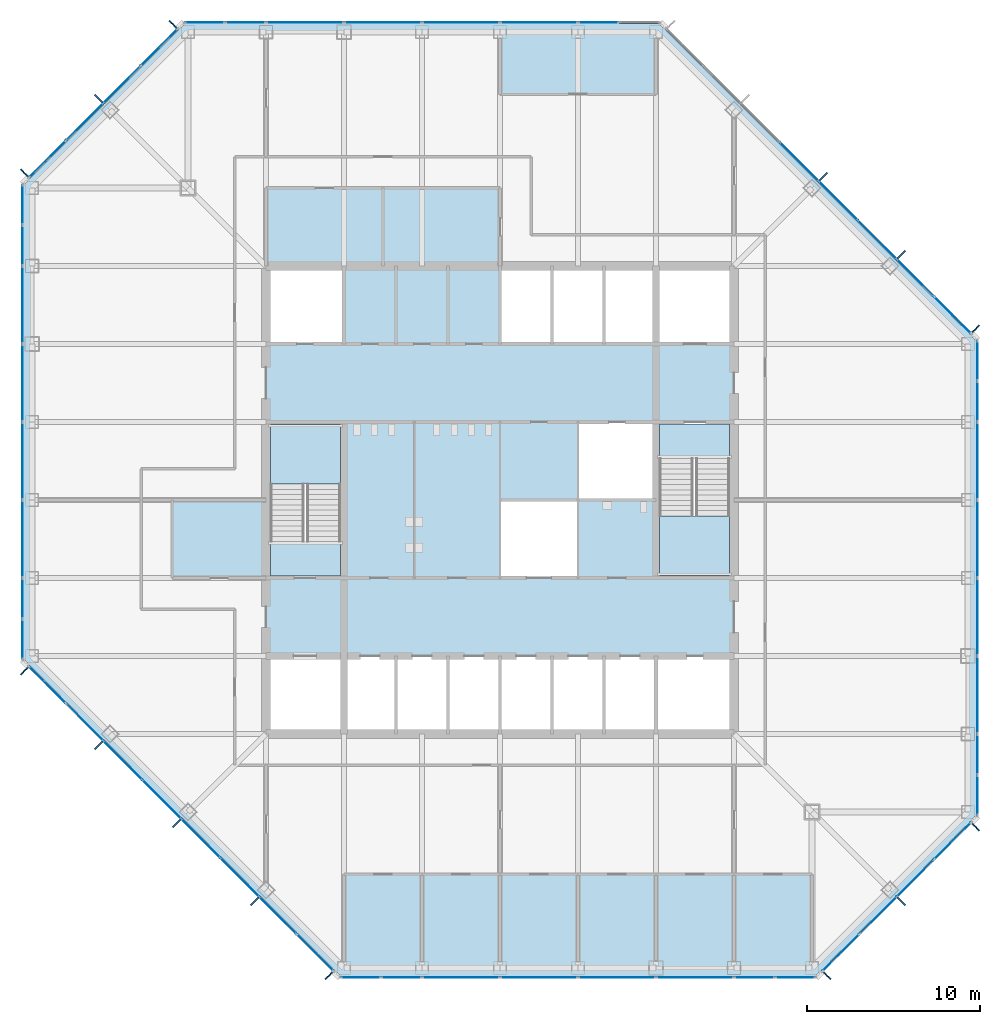
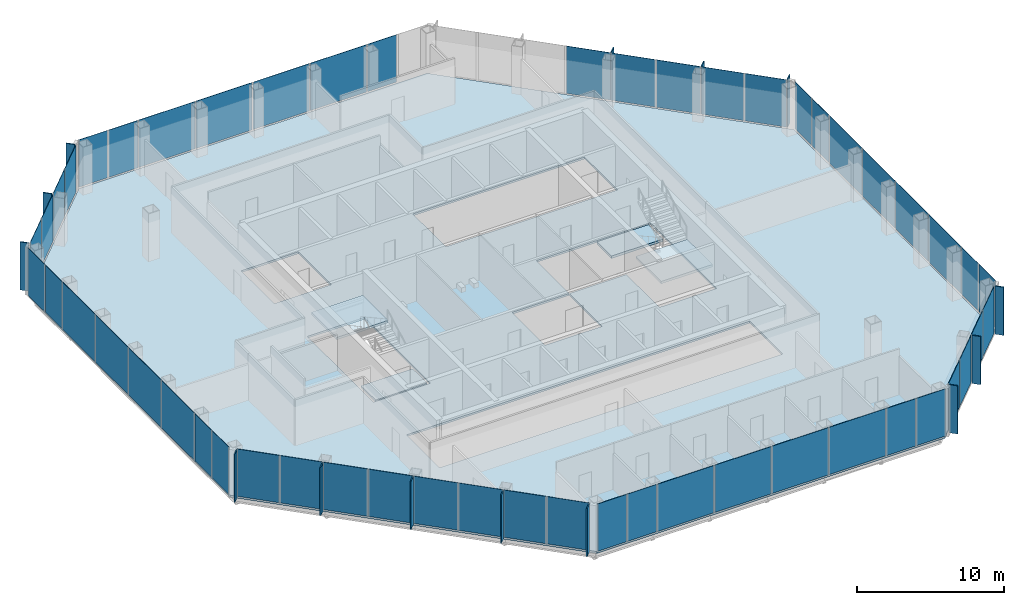
# One storey, part 7 of 12: 66 plates, 5 slabs, 10 elements without a shape of their own.
"""IFC4 building model written with IfcOpenShell, lengths in metres."""

from ifc_helpers import new_model, si_unit, direction, frame, origin, origin_2d, place, context, subcontext, project, spatial, polyline, rectangle, outline, extrude, material, layer, layer_set, type_object, element, aggregate, save


model = new_model("IFC4")

# Units and contexts
model_context = context("Model", 3, precision=1e-05, world=origin(), true_north=direction((0.0, 1.0)))
body_context = subcontext(model_context, "Body", "Model", "MODEL_VIEW")
ifc_project = project(units=[si_unit("LENGTHUNIT", "METRE"), si_unit("AREAUNIT", "SQUARE_METRE"), si_unit("VOLUMEUNIT", "CUBIC_METRE"), si_unit("PLANEANGLEUNIT", "RADIAN"), si_unit("MASSUNIT", "GRAM", prefix="KILO")], contexts=[model_context])

# Site, building, storey
site_placement = place(None, origin())
site = spatial("IfcSite", under=ifc_project, at=site_placement, CompositionType="ELEMENT")
building_placement = place(site_placement, origin())
building = spatial("IfcBuilding", under=site, at=building_placement, Name="Corais Broadcast Tower", CompositionType="ELEMENT")
storey_placement = place(building_placement, frame((0.0, 0.0, 143.60009765625)))
storey = spatial("IfcBuildingStorey", under=building, at=storey_placement, Name="L32", CompositionType="ELEMENT", Elevation=143.60009765625)

# Slab
ifc_material_1 = material(Name="Concrete C30/37", Category="concrete")
ifc_layer_1 = layer(ifc_material_1, 0.159912109375)
ifc_layer_set_1 = layer_set([ifc_layer_1], Name="Concrete C30/37")
slab_type_1 = type_object("IfcSlabType", Name="Composite floor slab 160", PredefinedType="FLOOR", material=ifc_layer_set_1)
slab_1_placement = place(storey_placement, frame((0.0, 0.0, -0.16015625)))
element("IfcSlab", 1, at=slab_1_placement, inside=storey, type_object=slab_type_1, Name="S160 floor slab L32", PredefinedType="FLOOR", context=body_context, shape_type="SweptSolid", body=[
    extrude(outline(polyline([(17.80126953125, -0.47998046875), (-0.47998046875, 17.80126953125), (-0.47998046875, 45.19873046875), (8.80126953125, 54.47998046875), (36.19873046875, 54.47998046875), (54.47998046875, 36.19873046875), (54.47998046875, 8.80126953125), (45.19873046875, -0.47998046875), (17.80126953125, -0.47998046875)]), holes=[polyline([(13.5, 18.0), (40.5, 18.0), (40.5, 13.5), (13.5, 13.5), (13.5, 18.0)]), polyline([(18.0, 22.5), (13.5, 22.5), (13.5, 31.5), (18.0, 31.5), (18.0, 22.5)]), polyline([(18.0, 36.0), (13.5, 36.0), (13.5, 40.5), (18.0, 40.5), (18.0, 36.0)]), polyline([(31.5, 22.5), (27.0, 22.5), (27.0, 27.0), (31.4951171875, 27.0), (31.4951171875, 27.0048828125), (31.5, 27.0048828125), (31.5, 31.5), (40.5, 31.5), (40.5, 22.5), (36.0, 22.5), (36.0, 27.0), (31.5048828125, 27.0), (31.5048828125, 26.9951171875), (31.5, 26.9951171875), (31.5, 22.5)]), polyline([(27.0, 40.5), (40.5, 40.5), (40.5, 36.0), (27.0, 36.0), (27.0, 40.5)])]), origin(), (0.0, 0.0, 1.0), 0.16015625),
])

# Curtain wall, plates
ifc_material_2 = material(Name="Aluminium and glass", Category="aluminium")
curtain_wall_type = type_object("IfcCurtainWallType", Name="Unitised fritted curtain wall CW2", PredefinedType="NOTDEFINED", material=ifc_material_2)
curtain_wall_1_placement = place(storey_placement, origin())
curtain_wall_1 = element("IfcCurtainWall", 2, at=curtain_wall_1_placement, inside=storey, type_object=curtain_wall_type, Name="CW2 curtain wall L32 1", PredefinedType="NOTDEFINED")
ifc_material_3 = material(Name="Ceramic-fritted laminated glass", Category="glass")
ifc_layer_2 = layer(ifc_material_3, 0.028076171875)
ifc_layer_set_2 = layer_set([ifc_layer_2], Name="Ceramic-fritted laminated glass")
plate_type_1 = type_object("IfcPlateType", Name="Fritted glass panel CW2", PredefinedType="CURTAIN_PANEL", material=ifc_layer_set_2)
plate_1_placement = place(storey_placement, frame((16.330322265625, 0.891845703125, 0.06494140625), z_axis=(0.0, 0.0, 1.0), x_axis=(-0.707106781187, 0.707106781187, 0.0)))
plate_1 = element("IfcPlate", 3, at=plate_1_placement, type_object=plate_type_1, Name="CW2 panel 1", PredefinedType="CURTAIN_PANEL", context=body_context, shape_type="SweptSolid", body=[
    extrude(rectangle(XDim=2.9482421875, YDim=0.028076171875, at=origin_2d()), origin(), (0.0, 0.0, 1.0), 3.93505859375),
])
plate_2_placement = place(storey_placement, frame((11.986083984375, 5.236083984375, 0.06494140625), z_axis=(0.0, 0.0, 1.0), x_axis=(-0.707106781187, 0.707106781187, 0.0)))
plate_2 = element("IfcPlate", 4, at=plate_2_placement, type_object=plate_type_1, Name="CW2 panel 3", PredefinedType="CURTAIN_PANEL", context=body_context, shape_type="SweptSolid", body=[
    extrude(rectangle(XDim=3.116943359375, YDim=0.028076171875, at=origin_2d()), origin(), (0.0, 0.0, 1.0), 3.93505859375),
])
plate_3_placement = place(storey_placement, frame((7.486083984375, 9.736083984375, 0.06494140625), z_axis=(0.0, 0.0, 1.0), x_axis=(-0.707106781187, 0.707106781187, 0.0)))
plate_3 = element("IfcPlate", 5, at=plate_3_placement, type_object=plate_type_1, Name="CW2 panel 5", PredefinedType="CURTAIN_PANEL", context=body_context, shape_type="SweptSolid", body=[
    extrude(rectangle(XDim=3.116943359375, YDim=0.028076171875, at=origin_2d()), origin(), (0.0, 0.0, 1.0), 3.93505859375),
])
plate_4_placement = place(storey_placement, frame((3.0341796875, 14.18798828125, 0.06494140625), z_axis=(0.0, 0.0, 1.0), x_axis=(-0.707106781187, 0.707106781187, 0.0)))
plate_4 = element("IfcPlate", 6, at=plate_4_placement, type_object=plate_type_1, Name="CW2 panel 7", PredefinedType="CURTAIN_PANEL", context=body_context, shape_type="SweptSolid", body=[
    extrude(rectangle(XDim=2.98095703125, YDim=0.028076171875, at=origin_2d()), origin(), (0.0, 0.0, 1.0), 3.93505859375),
])

curtain_wall_2_placement = place(storey_placement, origin())
curtain_wall_2 = element("IfcCurtainWall", 7, at=curtain_wall_2_placement, inside=storey, type_object=curtain_wall_type, Name="CW2 curtain wall L32 2", PredefinedType="NOTDEFINED")
plate_5_placement = place(storey_placement, frame((-0.550048828125, 18.970458984375, 0.06494140625), z_axis=(0.0, 0.0, 1.0), x_axis=(0.0, 1.0, 0.0)))
plate_5 = element("IfcPlate", 8, at=plate_5_placement, type_object=plate_type_1, Name="CW2 panel 1", PredefinedType="CURTAIN_PANEL", context=body_context, shape_type="SweptSolid", body=[
    extrude(rectangle(XDim=2.266357421875, YDim=0.028076171875, at=origin_2d()), origin(), (0.0, 0.0, 1.0), 3.93505859375),
])
plate_6_placement = place(storey_placement, frame((-0.550048828125, 24.75, 0.06494140625), z_axis=(0.0, 0.0, 1.0), x_axis=(0.0, 1.0, 0.0)))
plate_6 = element("IfcPlate", 9, at=plate_6_placement, type_object=plate_type_1, Name="CW2 panel 3", PredefinedType="CURTAIN_PANEL", context=body_context, shape_type="SweptSolid", body=[
    extrude(rectangle(XDim=4.43505859375, YDim=0.028076171875, at=origin_2d()), origin(), (0.0, 0.0, 1.0), 3.93505859375),
])
plate_7_placement = place(storey_placement, frame((-0.550048828125, 33.75, 0.06494140625), z_axis=(0.0, 0.0, 1.0), x_axis=(0.0, 1.0, 0.0)))
plate_7 = element("IfcPlate", 10, at=plate_7_placement, type_object=plate_type_1, Name="CW2 panel 5", PredefinedType="CURTAIN_PANEL", context=body_context, shape_type="SweptSolid", body=[
    extrude(rectangle(XDim=4.43505859375, YDim=0.028076171875, at=origin_2d()), origin(), (0.0, 0.0, 1.0), 3.93505859375),
])
plate_8_placement = place(storey_placement, frame((-0.550048828125, 41.681884765625, 0.06494140625), z_axis=(0.0, 0.0, 1.0), x_axis=(0.0, 1.0, 0.0)))
plate_8 = element("IfcPlate", 11, at=plate_8_placement, type_object=plate_type_1, Name="CW2 panel 7", PredefinedType="CURTAIN_PANEL", context=body_context, shape_type="SweptSolid", body=[
    extrude(rectangle(XDim=2.298828125, YDim=0.028076171875, at=origin_2d()), origin(), (0.0, 0.0, 1.0), 3.93505859375),
])

curtain_wall_3_placement = place(storey_placement, origin())
curtain_wall_3 = element("IfcCurtainWall", 12, at=curtain_wall_3_placement, inside=storey, type_object=curtain_wall_type, Name="CW2 curtain wall L32 3", PredefinedType="NOTDEFINED")
plate_9_placement = place(storey_placement, frame((0.891845703125, 46.669677734375, 0.06494140625), z_axis=(0.0, 0.0, 1.0), x_axis=(0.707106781187, 0.707106781187, 0.0)))
plate_9 = element("IfcPlate", 13, at=plate_9_placement, type_object=plate_type_1, Name="CW2 panel 1", PredefinedType="CURTAIN_PANEL", context=body_context, shape_type="SweptSolid", body=[
    extrude(rectangle(XDim=2.9482421875, YDim=0.028076171875, at=origin_2d()), origin(), (0.0, 0.0, 1.0), 3.93505859375),
])
plate_10_placement = place(storey_placement, frame((5.18798828125, 50.9658203125, 0.06494140625), z_axis=(0.0, 0.0, 1.0), x_axis=(0.707106781187, 0.707106781187, 0.0)))
plate_10 = element("IfcPlate", 14, at=plate_10_placement, type_object=plate_type_1, Name="CW2 panel 3", PredefinedType="CURTAIN_PANEL", context=body_context, shape_type="SweptSolid", body=[
    extrude(rectangle(XDim=2.98095703125, YDim=0.028076171875, at=origin_2d()), origin(), (0.0, 0.0, 1.0), 3.93505859375),
])

curtain_wall_4_placement = place(storey_placement, origin())
curtain_wall_4 = element("IfcCurtainWall", 15, at=curtain_wall_4_placement, inside=storey, type_object=curtain_wall_type, Name="CW2 curtain wall L32 4", PredefinedType="NOTDEFINED")
plate_11_placement = place(storey_placement, frame((9.970458984375, 54.550048828125, 0.06494140625), z_axis=(0.0, 0.0, 1.0), x_axis=(1.0, 0.0, 0.0)))
plate_11 = element("IfcPlate", 16, at=plate_11_placement, type_object=plate_type_1, Name="CW2 panel 1", PredefinedType="CURTAIN_PANEL", context=body_context, shape_type="SweptSolid", body=[
    extrude(rectangle(XDim=2.266357421875, YDim=0.028076171875, at=origin_2d()), origin(), (0.0, 0.0, 1.0), 3.93505859375),
])
plate_12_placement = place(storey_placement, frame((15.75, 54.550048828125, 0.06494140625), z_axis=(0.0, 0.0, 1.0), x_axis=(1.0, 0.0, 0.0)))
plate_12 = element("IfcPlate", 17, at=plate_12_placement, type_object=plate_type_1, Name="CW2 panel 3", PredefinedType="CURTAIN_PANEL", context=body_context, shape_type="SweptSolid", body=[
    extrude(rectangle(XDim=4.43505859375, YDim=0.028076171875, at=origin_2d()), origin(), (0.0, 0.0, 1.0), 3.93505859375),
])
plate_13_placement = place(storey_placement, frame((24.75, 54.550048828125, 0.06494140625), z_axis=(0.0, 0.0, 1.0), x_axis=(1.0, 0.0, 0.0)))
plate_13 = element("IfcPlate", 18, at=plate_13_placement, type_object=plate_type_1, Name="CW2 panel 5", PredefinedType="CURTAIN_PANEL", context=body_context, shape_type="SweptSolid", body=[
    extrude(rectangle(XDim=4.43505859375, YDim=0.028076171875, at=origin_2d()), origin(), (0.0, 0.0, 1.0), 3.93505859375),
])
plate_14_placement = place(storey_placement, frame((32.681884765625, 54.550048828125, 0.06494140625), z_axis=(0.0, 0.0, 1.0), x_axis=(1.0, 0.0, 0.0)))
plate_14 = element("IfcPlate", 19, at=plate_14_placement, type_object=plate_type_1, Name="CW2 panel 7", PredefinedType="CURTAIN_PANEL", context=body_context, shape_type="SweptSolid", body=[
    extrude(rectangle(XDim=2.298828125, YDim=0.028076171875, at=origin_2d()), origin(), (0.0, 0.0, 1.0), 3.93505859375),
])

curtain_wall_5_placement = place(storey_placement, origin())
curtain_wall_5 = element("IfcCurtainWall", 20, at=curtain_wall_5_placement, inside=storey, type_object=curtain_wall_type, Name="CW2 curtain wall L32 5", PredefinedType="NOTDEFINED")
plate_15_placement = place(storey_placement, frame((46.513916015625, 44.263916015625, 0.06494140625), z_axis=(0.0, 0.0, 1.0), x_axis=(0.707106781187, -0.707106781187, 0.0)))
plate_15 = element("IfcPlate", 21, at=plate_15_placement, type_object=plate_type_1, Name="CW2 panel 5", PredefinedType="CURTAIN_PANEL", context=body_context, shape_type="SweptSolid", body=[
    extrude(rectangle(XDim=3.116943359375, YDim=0.028076171875, at=origin_2d()), origin(), (0.0, 0.0, 1.0), 3.93505859375),
])
plate_16_placement = place(storey_placement, frame((50.9658203125, 39.81201171875, 0.06494140625), z_axis=(0.0, 0.0, 1.0), x_axis=(0.707106781187, -0.707106781187, 0.0)))
plate_16 = element("IfcPlate", 22, at=plate_16_placement, type_object=plate_type_1, Name="CW2 panel 7", PredefinedType="CURTAIN_PANEL", context=body_context, shape_type="SweptSolid", body=[
    extrude(rectangle(XDim=2.98095703125, YDim=0.028076171875, at=origin_2d()), origin(), (0.0, 0.0, 1.0), 3.93505859375),
])

curtain_wall_6_placement = place(storey_placement, origin())
curtain_wall_6 = element("IfcCurtainWall", 23, at=curtain_wall_6_placement, inside=storey, type_object=curtain_wall_type, Name="CW2 curtain wall L32 6", PredefinedType="NOTDEFINED")
plate_17_placement = place(storey_placement, frame((54.550048828125, 35.029541015625, 0.06494140625), z_axis=(0.0, 0.0, 1.0), x_axis=(0.0, -1.0, 0.0)))
plate_17 = element("IfcPlate", 24, at=plate_17_placement, type_object=plate_type_1, Name="CW2 panel 1", PredefinedType="CURTAIN_PANEL", context=body_context, shape_type="SweptSolid", body=[
    extrude(rectangle(XDim=2.266357421875, YDim=0.028076171875, at=origin_2d()), origin(), (0.0, 0.0, 1.0), 3.93505859375),
])
plate_18_placement = place(storey_placement, frame((54.550048828125, 29.25, 0.06494140625), z_axis=(0.0, 0.0, 1.0), x_axis=(0.0, -1.0, 0.0)))
plate_18 = element("IfcPlate", 25, at=plate_18_placement, type_object=plate_type_1, Name="CW2 panel 3", PredefinedType="CURTAIN_PANEL", context=body_context, shape_type="SweptSolid", body=[
    extrude(rectangle(XDim=4.43505859375, YDim=0.028076171875, at=origin_2d()), origin(), (0.0, 0.0, 1.0), 3.93505859375),
])
plate_19_placement = place(storey_placement, frame((54.550048828125, 20.25, 0.06494140625), z_axis=(0.0, 0.0, 1.0), x_axis=(0.0, -1.0, 0.0)))
plate_19 = element("IfcPlate", 26, at=plate_19_placement, type_object=plate_type_1, Name="CW2 panel 5", PredefinedType="CURTAIN_PANEL", context=body_context, shape_type="SweptSolid", body=[
    extrude(rectangle(XDim=4.43505859375, YDim=0.028076171875, at=origin_2d()), origin(), (0.0, 0.0, 1.0), 3.93505859375),
])
plate_20_placement = place(storey_placement, frame((54.550048828125, 12.318115234375, 0.06494140625), z_axis=(0.0, 0.0, 1.0), x_axis=(0.0, -1.0, 0.0)))
plate_20 = element("IfcPlate", 27, at=plate_20_placement, type_object=plate_type_1, Name="CW2 panel 7", PredefinedType="CURTAIN_PANEL", context=body_context, shape_type="SweptSolid", body=[
    extrude(rectangle(XDim=2.298828125, YDim=0.028076171875, at=origin_2d()), origin(), (0.0, 0.0, 1.0), 3.93505859375),
])

curtain_wall_7_placement = place(storey_placement, origin())
curtain_wall_7 = element("IfcCurtainWall", 28, at=curtain_wall_7_placement, inside=storey, type_object=curtain_wall_type, Name="CW2 curtain wall L32 7", PredefinedType="NOTDEFINED")
plate_21_placement = place(storey_placement, frame((53.108154296875, 7.330322265625, 0.06494140625), z_axis=(0.0, 0.0, 1.0), x_axis=(-0.707106781187, -0.707106781187, 0.0)))
plate_21 = element("IfcPlate", 29, at=plate_21_placement, type_object=plate_type_1, Name="CW2 panel 1", PredefinedType="CURTAIN_PANEL", context=body_context, shape_type="SweptSolid", body=[
    extrude(rectangle(XDim=2.9482421875, YDim=0.028076171875, at=origin_2d()), origin(), (0.0, 0.0, 1.0), 3.93505859375),
])
plate_22_placement = place(storey_placement, frame((48.81201171875, 3.0341796875, 0.06494140625), z_axis=(0.0, 0.0, 1.0), x_axis=(-0.707106781187, -0.707106781187, 0.0)))
plate_22 = element("IfcPlate", 30, at=plate_22_placement, type_object=plate_type_1, Name="CW2 panel 3", PredefinedType="CURTAIN_PANEL", context=body_context, shape_type="SweptSolid", body=[
    extrude(rectangle(XDim=2.98095703125, YDim=0.028076171875, at=origin_2d()), origin(), (0.0, 0.0, 1.0), 3.93505859375),
])

curtain_wall_8_placement = place(storey_placement, origin())
curtain_wall_8 = element("IfcCurtainWall", 31, at=curtain_wall_8_placement, inside=storey, type_object=curtain_wall_type, Name="CW2 curtain wall L32 8", PredefinedType="NOTDEFINED")
plate_23_placement = place(storey_placement, frame((44.029541015625, -0.550048828125, 0.06494140625), z_axis=(0.0, 0.0, 1.0), x_axis=(-1.0, 0.0, 0.0)))
plate_23 = element("IfcPlate", 32, at=plate_23_placement, type_object=plate_type_1, Name="CW2 panel 1", PredefinedType="CURTAIN_PANEL", context=body_context, shape_type="SweptSolid", body=[
    extrude(rectangle(XDim=2.266357421875, YDim=0.028076171875, at=origin_2d()), origin(), (0.0, 0.0, 1.0), 3.93505859375),
])
plate_24_placement = place(storey_placement, frame((38.25, -0.550048828125, 0.06494140625), z_axis=(0.0, 0.0, 1.0), x_axis=(-1.0, 0.0, 0.0)))
plate_24 = element("IfcPlate", 33, at=plate_24_placement, type_object=plate_type_1, Name="CW2 panel 3", PredefinedType="CURTAIN_PANEL", context=body_context, shape_type="SweptSolid", body=[
    extrude(rectangle(XDim=4.43505859375, YDim=0.028076171875, at=origin_2d()), origin(), (0.0, 0.0, 1.0), 3.93505859375),
])
plate_25_placement = place(storey_placement, frame((29.25, -0.550048828125, 0.06494140625), z_axis=(0.0, 0.0, 1.0), x_axis=(-1.0, 0.0, 0.0)))
plate_25 = element("IfcPlate", 34, at=plate_25_placement, type_object=plate_type_1, Name="CW2 panel 5", PredefinedType="CURTAIN_PANEL", context=body_context, shape_type="SweptSolid", body=[
    extrude(rectangle(XDim=4.43505859375, YDim=0.028076171875, at=origin_2d()), origin(), (0.0, 0.0, 1.0), 3.93505859375),
])
plate_26_placement = place(storey_placement, frame((21.318115234375, -0.550048828125, 0.06494140625), z_axis=(0.0, 0.0, 1.0), x_axis=(-1.0, 0.0, 0.0)))
plate_26 = element("IfcPlate", 35, at=plate_26_placement, type_object=plate_type_1, Name="CW2 panel 7", PredefinedType="CURTAIN_PANEL", context=body_context, shape_type="SweptSolid", body=[
    extrude(rectangle(XDim=2.298828125, YDim=0.028076171875, at=origin_2d()), origin(), (0.0, 0.0, 1.0), 3.93505859375),
])

# Plate
ifc_material_4 = material(Name="Clear laminated glass", Category="glass")
ifc_layer_3 = layer(ifc_material_4, 0.031982421875)
ifc_layer_set_3 = layer_set([ifc_layer_3], Name="Clear laminated glass")
plate_type_2 = type_object("IfcPlateType", Name="Operable glass panel CW2", PredefinedType="CURTAIN_PANEL", material=ifc_layer_set_3)
plate_27_placement = place(storey_placement, frame((14.18798828125, 3.0341796875, 0.06494140625), z_axis=(0.0, 0.0, 1.0), x_axis=(-0.707106781187, 0.707106781187, 0.0)))
plate_27 = element("IfcPlate", 36, at=plate_27_placement, type_object=plate_type_2, Name="CW2 operable panel 2", PredefinedType="CURTAIN_PANEL", context=body_context, shape_type="SweptSolid", body=[
    extrude(rectangle(XDim=2.98095703125, YDim=0.031982421875, at=origin_2d()), origin(), (0.0, 0.0, 1.0), 3.93505859375),
])

plate_28_placement = place(storey_placement, frame((9.736083984375, 7.486083984375, 0.06494140625), z_axis=(0.0, 0.0, 1.0), x_axis=(-0.707106781187, 0.707106781187, 0.0)))
plate_28 = element("IfcPlate", 37, at=plate_28_placement, type_object=plate_type_2, Name="CW2 operable panel 4", PredefinedType="CURTAIN_PANEL", context=body_context, shape_type="SweptSolid", body=[
    extrude(rectangle(XDim=3.116943359375, YDim=0.031982421875, at=origin_2d()), origin(), (0.0, 0.0, 1.0), 3.93505859375),
])

plate_29_placement = place(storey_placement, frame((5.236083984375, 11.986083984375, 0.06494140625), z_axis=(0.0, 0.0, 1.0), x_axis=(-0.707106781187, 0.707106781187, 0.0)))
plate_29 = element("IfcPlate", 38, at=plate_29_placement, type_object=plate_type_2, Name="CW2 operable panel 6", PredefinedType="CURTAIN_PANEL", context=body_context, shape_type="SweptSolid", body=[
    extrude(rectangle(XDim=3.116943359375, YDim=0.031982421875, at=origin_2d()), origin(), (0.0, 0.0, 1.0), 3.93505859375),
])

plate_30_placement = place(storey_placement, frame((0.89208984375, 16.330322265625, 0.06494140625), z_axis=(0.0, 0.0, 1.0), x_axis=(-0.707106781187, 0.707106781187, 0.0)))
plate_30 = element("IfcPlate", 39, at=plate_30_placement, type_object=plate_type_2, Name="CW2 operable panel 8", PredefinedType="CURTAIN_PANEL", context=body_context, shape_type="SweptSolid", body=[
    extrude(rectangle(XDim=2.948486328125, YDim=0.031982421875, at=origin_2d()), origin(), (0.0, 0.0, 1.0), 3.93505859375),
])

aggregate(curtain_wall_1, [plate_1, plate_27, plate_2, plate_28, plate_3, plate_29, plate_4, plate_30])

plate_31_placement = place(storey_placement, frame((-0.550048828125, 21.318115234375, 0.06494140625), z_axis=(0.0, 0.0, 1.0), x_axis=(0.0, 1.0, 0.0)))
plate_31 = element("IfcPlate", 40, at=plate_31_placement, type_object=plate_type_2, Name="CW2 operable panel 2", PredefinedType="CURTAIN_PANEL", context=body_context, shape_type="SweptSolid", body=[
    extrude(rectangle(XDim=2.298828125, YDim=0.031982421875, at=origin_2d()), origin(), (0.0, 0.0, 1.0), 3.93505859375),
])

plate_32_placement = place(storey_placement, frame((-0.550048828125, 29.25, 0.06494140625), z_axis=(0.0, 0.0, 1.0), x_axis=(0.0, 1.0, 0.0)))
plate_32 = element("IfcPlate", 41, at=plate_32_placement, type_object=plate_type_2, Name="CW2 operable panel 4", PredefinedType="CURTAIN_PANEL", context=body_context, shape_type="SweptSolid", body=[
    extrude(rectangle(XDim=4.43505859375, YDim=0.031982421875, at=origin_2d()), origin(), (0.0, 0.0, 1.0), 3.93505859375),
])

plate_33_placement = place(storey_placement, frame((-0.550048828125, 38.25, 0.06494140625), z_axis=(0.0, 0.0, 1.0), x_axis=(0.0, 1.0, 0.0)))
plate_33 = element("IfcPlate", 42, at=plate_33_placement, type_object=plate_type_2, Name="CW2 operable panel 6", PredefinedType="CURTAIN_PANEL", context=body_context, shape_type="SweptSolid", body=[
    extrude(rectangle(XDim=4.43505859375, YDim=0.031982421875, at=origin_2d()), origin(), (0.0, 0.0, 1.0), 3.93505859375),
])

plate_34_placement = place(storey_placement, frame((-0.550048828125, 44.029541015625, 0.06494140625), z_axis=(0.0, 0.0, 1.0), x_axis=(0.0, 1.0, 0.0)))
plate_34 = element("IfcPlate", 43, at=plate_34_placement, type_object=plate_type_2, Name="CW2 operable panel 8", PredefinedType="CURTAIN_PANEL", context=body_context, shape_type="SweptSolid", body=[
    extrude(rectangle(XDim=2.266357421875, YDim=0.031982421875, at=origin_2d()), origin(), (0.0, 0.0, 1.0), 3.93505859375),
])

aggregate(curtain_wall_2, [plate_5, plate_31, plate_6, plate_32, plate_7, plate_33, plate_8, plate_34])

plate_35_placement = place(storey_placement, frame((3.0341796875, 48.81201171875, 0.06494140625), z_axis=(0.0, 0.0, 1.0), x_axis=(0.707106781187, 0.707106781187, 0.0)))
plate_35 = element("IfcPlate", 44, at=plate_35_placement, type_object=plate_type_2, Name="CW2 operable panel 2", PredefinedType="CURTAIN_PANEL", context=body_context, shape_type="SweptSolid", body=[
    extrude(rectangle(XDim=2.98095703125, YDim=0.031982421875, at=origin_2d()), origin(), (0.0, 0.0, 1.0), 3.93505859375),
])

plate_36_placement = place(storey_placement, frame((7.330322265625, 53.10791015625, 0.06494140625), z_axis=(0.0, 0.0, 1.0), x_axis=(0.707106781187, 0.707106781187, 0.0)))
plate_36 = element("IfcPlate", 45, at=plate_36_placement, type_object=plate_type_2, Name="CW2 operable panel 4", PredefinedType="CURTAIN_PANEL", context=body_context, shape_type="SweptSolid", body=[
    extrude(rectangle(XDim=2.948486328125, YDim=0.031982421875, at=origin_2d()), origin(), (0.0, 0.0, 1.0), 3.93505859375),
])

aggregate(curtain_wall_3, [plate_9, plate_35, plate_10, plate_36])

plate_37_placement = place(storey_placement, frame((12.318115234375, 54.550048828125, 0.06494140625), z_axis=(0.0, 0.0, 1.0), x_axis=(1.0, 0.0, 0.0)))
plate_37 = element("IfcPlate", 46, at=plate_37_placement, type_object=plate_type_2, Name="CW2 operable panel 2", PredefinedType="CURTAIN_PANEL", context=body_context, shape_type="SweptSolid", body=[
    extrude(rectangle(XDim=2.298828125, YDim=0.031982421875, at=origin_2d()), origin(), (0.0, 0.0, 1.0), 3.93505859375),
])

plate_38_placement = place(storey_placement, frame((20.25, 54.550048828125, 0.06494140625), z_axis=(0.0, 0.0, 1.0), x_axis=(1.0, 0.0, 0.0)))
plate_38 = element("IfcPlate", 47, at=plate_38_placement, type_object=plate_type_2, Name="CW2 operable panel 4", PredefinedType="CURTAIN_PANEL", context=body_context, shape_type="SweptSolid", body=[
    extrude(rectangle(XDim=4.43505859375, YDim=0.031982421875, at=origin_2d()), origin(), (0.0, 0.0, 1.0), 3.93505859375),
])

plate_39_placement = place(storey_placement, frame((29.25, 54.550048828125, 0.06494140625), z_axis=(0.0, 0.0, 1.0), x_axis=(1.0, 0.0, 0.0)))
plate_39 = element("IfcPlate", 48, at=plate_39_placement, type_object=plate_type_2, Name="CW2 operable panel 6", PredefinedType="CURTAIN_PANEL", context=body_context, shape_type="SweptSolid", body=[
    extrude(rectangle(XDim=4.43505859375, YDim=0.031982421875, at=origin_2d()), origin(), (0.0, 0.0, 1.0), 3.93505859375),
])

aggregate(curtain_wall_4, [plate_11, plate_37, plate_12, plate_38, plate_13, plate_39, plate_14])

plate_40_placement = place(storey_placement, frame((44.263916015625, 46.513916015625, 0.06494140625), z_axis=(0.0, 0.0, 1.0), x_axis=(0.707106781187, -0.707106781187, 0.0)))
plate_40 = element("IfcPlate", 49, at=plate_40_placement, type_object=plate_type_2, Name="CW2 operable panel 4", PredefinedType="CURTAIN_PANEL", context=body_context, shape_type="SweptSolid", body=[
    extrude(rectangle(XDim=3.116943359375, YDim=0.031982421875, at=origin_2d()), origin(), (0.0, 0.0, 1.0), 3.93505859375),
])

plate_41_placement = place(storey_placement, frame((48.763916015625, 42.013916015625, 0.06494140625), z_axis=(0.0, 0.0, 1.0), x_axis=(0.707106781187, -0.707106781187, 0.0)))
plate_41 = element("IfcPlate", 50, at=plate_41_placement, type_object=plate_type_2, Name="CW2 operable panel 6", PredefinedType="CURTAIN_PANEL", context=body_context, shape_type="SweptSolid", body=[
    extrude(rectangle(XDim=3.116943359375, YDim=0.031982421875, at=origin_2d()), origin(), (0.0, 0.0, 1.0), 3.93505859375),
])

plate_42_placement = place(storey_placement, frame((53.10791015625, 37.669677734375, 0.06494140625), z_axis=(0.0, 0.0, 1.0), x_axis=(0.707106781187, -0.707106781187, 0.0)))
plate_42 = element("IfcPlate", 51, at=plate_42_placement, type_object=plate_type_2, Name="CW2 operable panel 8", PredefinedType="CURTAIN_PANEL", context=body_context, shape_type="SweptSolid", body=[
    extrude(rectangle(XDim=2.948486328125, YDim=0.031982421875, at=origin_2d()), origin(), (0.0, 0.0, 1.0), 3.93505859375),
])

aggregate(curtain_wall_5, [plate_40, plate_15, plate_41, plate_16, plate_42])

plate_43_placement = place(storey_placement, frame((54.550048828125, 32.681884765625, 0.06494140625), z_axis=(0.0, 0.0, 1.0), x_axis=(0.0, -1.0, 0.0)))
plate_43 = element("IfcPlate", 52, at=plate_43_placement, type_object=plate_type_2, Name="CW2 operable panel 2", PredefinedType="CURTAIN_PANEL", context=body_context, shape_type="SweptSolid", body=[
    extrude(rectangle(XDim=2.298828125, YDim=0.031982421875, at=origin_2d()), origin(), (0.0, 0.0, 1.0), 3.93505859375),
])

plate_44_placement = place(storey_placement, frame((54.550048828125, 24.75, 0.06494140625), z_axis=(0.0, 0.0, 1.0), x_axis=(0.0, -1.0, 0.0)))
plate_44 = element("IfcPlate", 53, at=plate_44_placement, type_object=plate_type_2, Name="CW2 operable panel 4", PredefinedType="CURTAIN_PANEL", context=body_context, shape_type="SweptSolid", body=[
    extrude(rectangle(XDim=4.43505859375, YDim=0.031982421875, at=origin_2d()), origin(), (0.0, 0.0, 1.0), 3.93505859375),
])

plate_45_placement = place(storey_placement, frame((54.550048828125, 15.75, 0.06494140625), z_axis=(0.0, 0.0, 1.0), x_axis=(0.0, -1.0, 0.0)))
plate_45 = element("IfcPlate", 54, at=plate_45_placement, type_object=plate_type_2, Name="CW2 operable panel 6", PredefinedType="CURTAIN_PANEL", context=body_context, shape_type="SweptSolid", body=[
    extrude(rectangle(XDim=4.43505859375, YDim=0.031982421875, at=origin_2d()), origin(), (0.0, 0.0, 1.0), 3.93505859375),
])

plate_46_placement = place(storey_placement, frame((54.550048828125, 9.970458984375, 0.06494140625), z_axis=(0.0, 0.0, 1.0), x_axis=(0.0, -1.0, 0.0)))
plate_46 = element("IfcPlate", 55, at=plate_46_placement, type_object=plate_type_2, Name="CW2 operable panel 8", PredefinedType="CURTAIN_PANEL", context=body_context, shape_type="SweptSolid", body=[
    extrude(rectangle(XDim=2.266357421875, YDim=0.031982421875, at=origin_2d()), origin(), (0.0, 0.0, 1.0), 3.93505859375),
])

aggregate(curtain_wall_6, [plate_17, plate_43, plate_18, plate_44, plate_19, plate_45, plate_20, plate_46])

plate_47_placement = place(storey_placement, frame((50.9658203125, 5.18798828125, 0.06494140625), z_axis=(0.0, 0.0, 1.0), x_axis=(-0.707106781187, -0.707106781187, 0.0)))
plate_47 = element("IfcPlate", 56, at=plate_47_placement, type_object=plate_type_2, Name="CW2 operable panel 2", PredefinedType="CURTAIN_PANEL", context=body_context, shape_type="SweptSolid", body=[
    extrude(rectangle(XDim=2.98095703125, YDim=0.031982421875, at=origin_2d()), origin(), (0.0, 0.0, 1.0), 3.93505859375),
])

plate_48_placement = place(storey_placement, frame((46.669677734375, 0.89208984375, 0.06494140625), z_axis=(0.0, 0.0, 1.0), x_axis=(-0.707106781187, -0.707106781187, 0.0)))
plate_48 = element("IfcPlate", 57, at=plate_48_placement, type_object=plate_type_2, Name="CW2 operable panel 4", PredefinedType="CURTAIN_PANEL", context=body_context, shape_type="SweptSolid", body=[
    extrude(rectangle(XDim=2.948486328125, YDim=0.031982421875, at=origin_2d()), origin(), (0.0, 0.0, 1.0), 3.93505859375),
])

aggregate(curtain_wall_7, [plate_21, plate_47, plate_22, plate_48])

plate_49_placement = place(storey_placement, frame((41.681884765625, -0.550048828125, 0.06494140625), z_axis=(0.0, 0.0, 1.0), x_axis=(-1.0, 0.0, 0.0)))
plate_49 = element("IfcPlate", 58, at=plate_49_placement, type_object=plate_type_2, Name="CW2 operable panel 2", PredefinedType="CURTAIN_PANEL", context=body_context, shape_type="SweptSolid", body=[
    extrude(rectangle(XDim=2.298828125, YDim=0.031982421875, at=origin_2d()), origin(), (0.0, 0.0, 1.0), 3.93505859375),
])

plate_50_placement = place(storey_placement, frame((33.75, -0.550048828125, 0.06494140625), z_axis=(0.0, 0.0, 1.0), x_axis=(-1.0, 0.0, 0.0)))
plate_50 = element("IfcPlate", 59, at=plate_50_placement, type_object=plate_type_2, Name="CW2 operable panel 4", PredefinedType="CURTAIN_PANEL", context=body_context, shape_type="SweptSolid", body=[
    extrude(rectangle(XDim=4.43505859375, YDim=0.031982421875, at=origin_2d()), origin(), (0.0, 0.0, 1.0), 3.93505859375),
])

plate_51_placement = place(storey_placement, frame((24.75, -0.550048828125, 0.06494140625), z_axis=(0.0, 0.0, 1.0), x_axis=(-1.0, 0.0, 0.0)))
plate_51 = element("IfcPlate", 60, at=plate_51_placement, type_object=plate_type_2, Name="CW2 operable panel 6", PredefinedType="CURTAIN_PANEL", context=body_context, shape_type="SweptSolid", body=[
    extrude(rectangle(XDim=4.43505859375, YDim=0.031982421875, at=origin_2d()), origin(), (0.0, 0.0, 1.0), 3.93505859375),
])

plate_52_placement = place(storey_placement, frame((18.970458984375, -0.550048828125, 0.06494140625), z_axis=(0.0, 0.0, 1.0), x_axis=(-1.0, 0.0, 0.0)))
plate_52 = element("IfcPlate", 61, at=plate_52_placement, type_object=plate_type_2, Name="CW2 operable panel 8", PredefinedType="CURTAIN_PANEL", context=body_context, shape_type="SweptSolid", body=[
    extrude(rectangle(XDim=2.266357421875, YDim=0.031982421875, at=origin_2d()), origin(), (0.0, 0.0, 1.0), 3.93505859375),
])

aggregate(curtain_wall_8, [plate_23, plate_49, plate_24, plate_50, plate_25, plate_51, plate_26, plate_52])

# Stair, slabs
ifc_material_5 = material(Name="Concrete C30/37", Category="concrete")
stair_type = type_object("IfcStairType", Name="Half-turn stair 4000", PredefinedType="HALF_TURN_STAIR", material=ifc_material_5)
stair_1_placement = place(storey_placement, origin())
stair_1 = element("IfcStair", 62, at=stair_1_placement, inside=storey, type_object=stair_type, Name="Stair A L32", PredefinedType="HALF_TURN_STAIR")
ifc_material_6 = material(Name="Concrete C30/37", Category="concrete")
ifc_layer_4 = layer(ifc_material_6, 0.199951171875)
ifc_layer_set_4 = layer_set([ifc_layer_4], Name="Concrete C30/37")
slab_type_2 = type_object("IfcSlabType", Name="Stair landing 200", PredefinedType="LANDING", material=ifc_layer_set_4)
slab_2_placement = place(storey_placement, frame((0.0, 0.0, -0.2001953125)))
slab_2 = element("IfcSlab", 63, at=slab_2_placement, type_object=slab_type_2, Name="STA landing 1", PredefinedType="LANDING", context=body_context, shape_type="SweptSolid", body=[
    extrude(outline(polyline([(13.75, 22.625), (17.800048828125, 22.625), (17.800048828125, 24.60009765625), (13.75, 24.60009765625), (13.75, 22.625)])), origin(), (0.0, 0.0, 1.0), 0.2001953125),
])
slab_3_placement = place(storey_placement, frame((0.0, 0.0, 1.7998046875)))
slab_3 = element("IfcSlab", 64, at=slab_3_placement, type_object=slab_type_2, Name="STA landing 2", PredefinedType="LANDING", context=body_context, shape_type="SweptSolid", body=[
    extrude(outline(polyline([(13.75, 27.922119140625), (17.800048828125, 27.922119140625), (17.800048828125, 31.375), (13.75, 31.375), (13.75, 27.922119140625)])), origin(), (0.0, 0.0, 1.0), 0.2001953125),
])
aggregate(stair_1, [slab_2, slab_3])

stair_2_placement = place(storey_placement, origin())
stair_2 = element("IfcStair", 65, at=stair_2_placement, inside=storey, type_object=stair_type, Name="Stair B L32", PredefinedType="HALF_TURN_STAIR")
slab_4_placement = place(storey_placement, frame((0.0, 0.0, -0.2001953125)))
slab_4 = element("IfcSlab", 66, at=slab_4_placement, type_object=slab_type_2, Name="STB landing 1", PredefinedType="LANDING", context=body_context, shape_type="SweptSolid", body=[
    extrude(outline(polyline([(36.199951171875, 29.39990234375), (40.25, 29.39990234375), (40.25, 31.375), (36.199951171875, 31.375), (36.199951171875, 29.39990234375)])), origin(), (0.0, 0.0, 1.0), 0.2001953125),
])
slab_5_placement = place(storey_placement, frame((0.0, 0.0, 1.7998046875)))
slab_5 = element("IfcSlab", 67, at=slab_5_placement, type_object=slab_type_2, Name="STB landing 2", PredefinedType="LANDING", context=body_context, shape_type="SweptSolid", body=[
    extrude(outline(polyline([(36.199951171875, 22.625), (40.25, 22.625), (40.25, 26.077880859375), (36.199951171875, 26.077880859375), (36.199951171875, 22.625)])), origin(), (0.0, 0.0, 1.0), 0.2001953125),
])
aggregate(stair_2, [slab_4, slab_5])

# Plates
ifc_material_7 = material(Name="Granite stone cladding", Category="masonry")
ifc_layer_5 = layer(ifc_material_7, 0.080078125)
ifc_layer_set_5 = layer_set([ifc_layer_5], Name="Granite stone cladding")
plate_type_3 = type_object("IfcPlateType", Name="Stone screen fin 80x600", PredefinedType="USERDEFINED", material=ifc_layer_set_5)
for number, where, z_axis, x_axis, name in (
    (68, (17.1220703125, -0.447021484375, 0.0), (0.0, 0.0, 1.0), (-0.707106781187, 0.707106781187, 0.0), "SF1 stone screen fin L32"),
    (69, (12.83740234375, 3.83740234375, 0.0), (0.0, 0.0, 1.0), (-0.707106781187, 0.707106781187, 0.0), "SF1 stone screen fin L32"),
    (70, (8.33740234375, 8.33740234375, 0.0), (0.0, 0.0, 1.0), (-0.707106781187, 0.707106781187, 0.0), "SF1 stone screen fin L32"),
    (71, (3.83740234375, 12.83740234375, 0.0), (0.0, 0.0, 1.0), (-0.707106781187, 0.707106781187, 0.0), "SF1 stone screen fin L32"),
    (72, (-0.447021484375, 17.1220703125, 0.0), (0.0, 0.0, 1.0), (-0.707106781187, 0.707106781187, 0.0), "SF1 stone screen fin L32"),
    (73, (-0.447021484375, 45.8779296875, 0.0), (0.0, 0.0, 1.0), (0.707106781187, 0.707106781187, 0.0), "SF1 stone screen fin L32"),
    (74, (3.83740234375, 50.16259765625, 0.0), (0.0, 0.0, 1.0), (0.707106781187, 0.707106781187, 0.0), "SF1 stone screen fin L32"),
    (75, (8.1220703125, 54.447021484375, 0.0), (0.0, 0.0, 1.0), (0.707106781187, 0.707106781187, 0.0), "SF1 stone screen fin L32"),
    (76, (45.66259765625, 45.66259765625, 0.0), (0.0, 0.0, 1.0), (0.707106781187, -0.707106781187, 0.0), "SF1 stone screen fin L32"),
    (77, (50.16259765625, 41.16259765625, 0.0), (0.0, 0.0, 1.0), (0.707106781187, -0.707106781187, 0.0), "SF1 stone screen fin L32"),
    (78, (54.447021484375, 36.8779296875, 0.0), (0.0, 0.0, 1.0), (0.707106781187, -0.707106781187, 0.0), "SF1 stone screen fin L32"),
    (79, (54.447021484375, 8.1220703125, 0.0), (0.0, 0.0, 1.0), (-0.707106781187, -0.707106781187, 0.0), "SF1 stone screen fin L32"),
    (80, (50.16259765625, 3.83740234375, 0.0), (0.0, 0.0, 1.0), (-0.707106781187, -0.707106781187, 0.0), "SF1 stone screen fin L32"),
    (81, (45.8779296875, -0.447021484375, 0.0), (0.0, 0.0, 1.0), (-0.707106781187, -0.707106781187, 0.0), "SF1 stone screen fin L32"),
):
    element("IfcPlate", number, at=place(storey_placement, frame(where, z_axis=z_axis, x_axis=x_axis)), inside=storey, type_object=plate_type_3, Name=name, ObjectType="STONE SCREEN FIN", PredefinedType="USERDEFINED", context=body_context, shape_type="SweptSolid", body=[
        extrude(rectangle(XDim=0.080078125, YDim=0.60009765625, at=origin_2d()), origin(), (0.0, 0.0, 1.0), 4.0),
    ])

save(model, "model.ifc")
